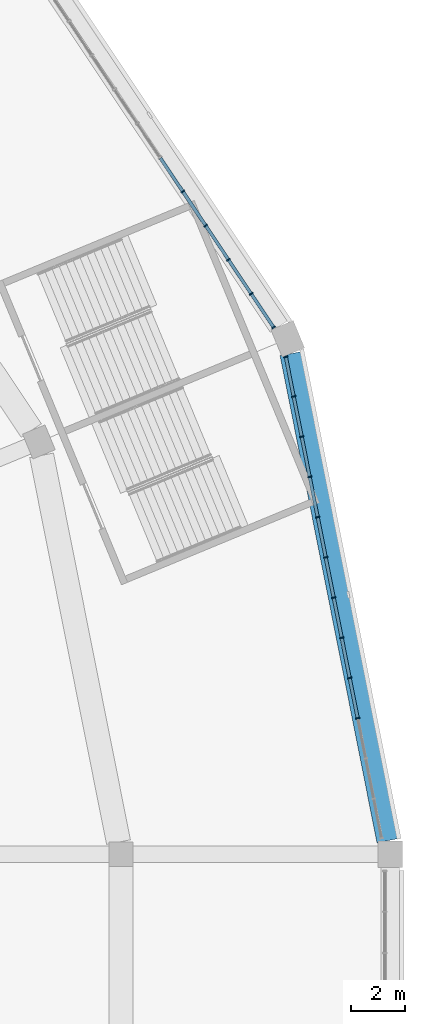
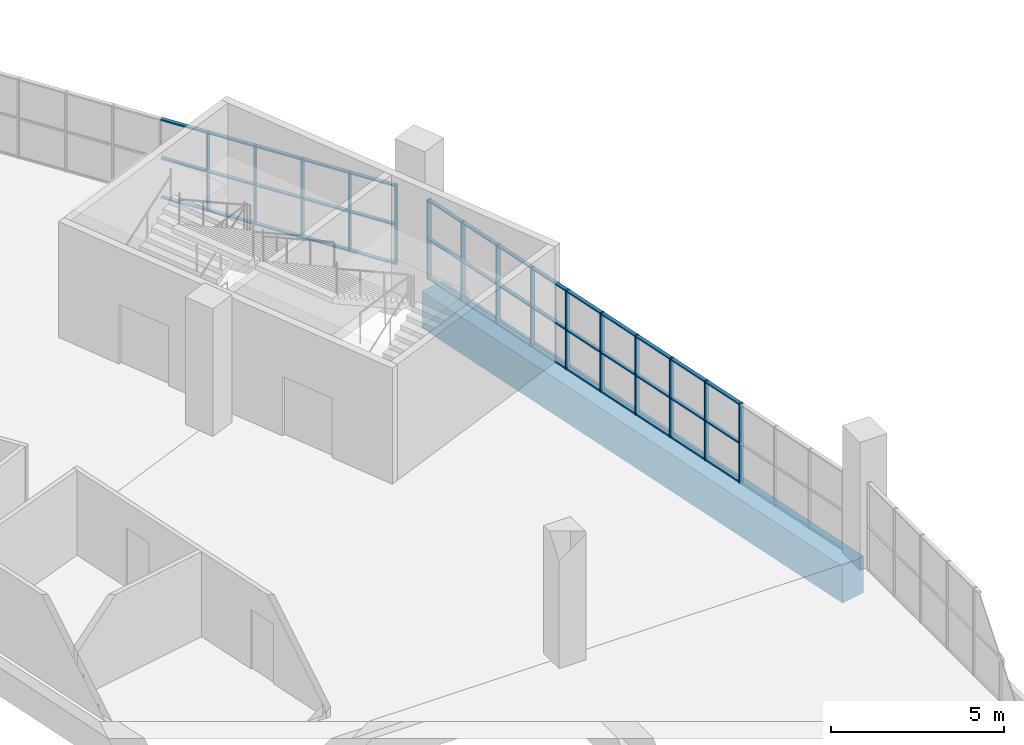
# One storey, part 52 of 199: 57 members, 1 beam, 2 elements without a shape of their own.
"""IFC4 building model written with IfcOpenShell, lengths in metres."""

import ifcopenshell
import ifcopenshell.guid

model = None  # the IFC model being written
_history = None  # IfcOwnerHistory: only IFC2X3 demands one
_inside = {}  # id of a spatial element -> (the spatial element, [elements in it])
_under = {}  # id of a project, library or spatial element -> (it, [spatial elements below it])
_declared = {}  # id of a project -> (the project, [libraries it declares])
_typed = {}  # id of a type object -> (the type object, [elements of that type])
_made_of = {}  # id of a material, layer set ... -> (it, [elements and type objects made of it])


def new_model(schema):
    """Start an empty IFC model of exactly this schema.

    Asked for "IFC4X3", IfcOpenShell would pick the latest addendum, in which some entities
    have other attributes; the version numbers below select the first issue.
    IFC2X3 requires an IfcOwnerHistory on every rooted entity: one is made here for all.
    """
    global model, _history
    if schema == "IFC4X3":
        model = ifcopenshell.file(schema_version=(4, 3, 0, 0))
    else:
        model = ifcopenshell.file(schema=schema)
    _inside.clear()
    _under.clear()
    _declared.clear()
    _typed.clear()
    _made_of.clear()
    _history = None
    if model.schema == "IFC2X3":
        org = make("IfcOrganization", Name="unknown")
        user = make(
            "IfcPersonAndOrganization",
            ThePerson=make("IfcPerson", FamilyName="unknown"),
            TheOrganization=org,
        )
        app = make(
            "IfcApplication",
            ApplicationDeveloper=org,
            Version="unknown",
            ApplicationFullName="unknown",
            ApplicationIdentifier="unknown",
        )
        _history = make(
            "IfcOwnerHistory",
            OwningUser=user,
            OwningApplication=app,
            ChangeAction="ADDED",
            CreationDate=0,
        )
    return model


def make(cls, **values):
    """One entity of the class cls with the attributes given. An attribute that is None is left unset."""
    return model.create_entity(
        cls, **{name: value for name, value in values.items() if value is not None}
    )


def rooted(cls, **values):
    """An entity with a GlobalId (a new one), such as an element, a storey or a relation."""
    return make(cls, GlobalId=ifcopenshell.guid.new(), OwnerHistory=_history, **values)


def si_unit(unit_type, name, prefix=None):
    """IfcSIUnit, for example si_unit("LENGTHUNIT", "METRE", prefix="MILLI")."""
    return make("IfcSIUnit", UnitType=unit_type, Prefix=prefix, Name=name)


def assignment(units):
    """IfcUnitAssignment: the units of a project."""
    return None if units is None else make("IfcUnitAssignment", Units=units)


def point(xyz):
    """IfcCartesianPoint."""
    return None if xyz is None else make("IfcCartesianPoint", Coordinates=xyz)


def direction(xyz):
    """IfcDirection."""
    return None if xyz is None else make("IfcDirection", DirectionRatios=xyz)


def frame(location, z_axis=None, x_axis=None):
    """IfcAxis2Placement3D, a coordinate frame: its origin and axes. An axis left out is left unset."""
    return make(
        "IfcAxis2Placement3D",
        Location=point(location),
        Axis=direction(z_axis),
        RefDirection=direction(x_axis),
    )


def frame_2d(location, x_axis=None):
    """IfcAxis2Placement2D, a coordinate frame in the plane: its origin and x axis."""
    return make(
        "IfcAxis2Placement2D", Location=point(location), RefDirection=direction(x_axis)
    )


def origin():
    """The frame at (0, 0, 0) with its axes left unset."""
    return frame((0.0, 0.0, 0.0))


def origin_2d():
    """The frame at (0, 0) in the plane with its x axis left unset."""
    return frame_2d((0.0, 0.0))


def place(relative_to, where):
    """IfcLocalPlacement: puts the frame where relative to a parent placement (None: the world)."""
    return make(
        "IfcLocalPlacement", PlacementRelTo=relative_to, RelativePlacement=where
    )


def context(
    kind, dimensions, precision=None, world=None, true_north=None, identifier=None
):
    """IfcGeometricRepresentationContext, for example the 3D "Model" context."""
    return make(
        "IfcGeometricRepresentationContext",
        ContextIdentifier=identifier,
        ContextType=kind,
        CoordinateSpaceDimension=dimensions,
        Precision=precision,
        WorldCoordinateSystem=world,
        TrueNorth=true_north,
    )


def subcontext(parent, identifier, kind, view, scale=None):
    """IfcGeometricRepresentationSubContext, for example "Body" below "Model"."""
    return make(
        "IfcGeometricRepresentationSubContext",
        ContextIdentifier=identifier,
        ContextType=kind,
        ParentContext=parent,
        TargetScale=scale,
        TargetView=view,
    )


def project(units=None, contexts=None):
    """IfcProject with its units and contexts."""
    return rooted(
        "IfcProject",
        Name="project",
        RepresentationContexts=contexts,
        UnitsInContext=assignment(units),
    )


def spatial(cls, under=None, at=None, **own):
    """A site, building, storey or space (cls), placed at a placement, below another one or the project."""
    s = rooted(cls, ObjectPlacement=at, **own)
    if under is not None:
        _under.setdefault(under.id(), (under, []))[1].append(s)
    return s


def profile(cls, at=None, kind="AREA", **sizes):
    """A parametric profile (cls). Its sizes go by their IFC names, for example OverallWidth=200.0."""
    return make(cls, ProfileType=kind, Position=at, **sizes)


def rectangle(**sizes):
    """IfcRectangleProfileDef."""
    return profile("IfcRectangleProfileDef", **sizes)


def extrude(swept, where, along, depth):
    """IfcExtrudedAreaSolid: the profile swept, set in the frame where, extruded along a direction by depth."""
    return make(
        "IfcExtrudedAreaSolid",
        SweptArea=swept,
        Position=where,
        ExtrudedDirection=direction(along),
        Depth=depth,
    )


def shape(context_of_items, identifier, shape_type, items):
    """IfcShapeRepresentation: the items that make up one representation, for example the "Body"."""
    return make(
        "IfcShapeRepresentation",
        ContextOfItems=context_of_items,
        RepresentationIdentifier=identifier,
        RepresentationType=shape_type,
        Items=items,
    )


def material(Name=None, Category=None):
    """IfcMaterial."""
    return make("IfcMaterial", Name=Name, Category=Category)


def material_profile(
    of_material, cross_section, Name=None, Category=None, Priority=None
):
    """IfcMaterialProfile: a cross section and its material."""
    return make(
        "IfcMaterialProfile",
        Name=Name,
        Material=of_material,
        Profile=cross_section,
        Priority=Priority,
        Category=Category,
    )


def profile_set(profiles, Name=None, composite=None):
    """IfcMaterialProfileSet."""
    return make(
        "IfcMaterialProfileSet",
        Name=Name,
        MaterialProfiles=profiles,
        CompositeProfile=composite,
    )


def made_of(thing, what):
    """Note that an element or type object is made of a material, layer set ...; save() writes the relation."""
    if what is not None:
        _made_of.setdefault(what.id(), (what, []))[1].append(thing)
    return thing


def type_object(cls, material=None, **own):
    """A type object (cls), such as IfcWallType, which elements share."""
    return made_of(rooted(cls, **own), material)


def element(
    cls,
    number,
    at=None,
    inside=None,
    cuts=None,
    type_object=None,
    material=None,
    context=None,
    identifier="Body",
    shape_type=None,
    held_by="IfcProductDefinitionShape",
    body=None,
    shapes=None,
    **own,
):
    """One element of the class cls, such as IfcWall. Its Tag is "e" and its number.

    at: its placement. inside: the storey or other place that contains it. cuts: it is an
    opening in that element (IfcRelVoidsElement). A single representation is given by context,
    identifier, shape_type and body (its items); several are given by shapes. held_by: the class
    of the entity that holds the representations. save() writes the other relations.
    """
    e = rooted(cls, Tag="e%d" % number, ObjectPlacement=at, **own)
    if body is not None:
        shapes = [shape(context, identifier, shape_type, body)]
    if shapes is not None:
        e.Representation = make(held_by, Representations=shapes)
    if inside is not None:
        _inside.setdefault(inside.id(), (inside, []))[1].append(e)
    if cuts is not None:
        rooted(
            "IfcRelVoidsElement", RelatingBuildingElement=cuts, RelatedOpeningElement=e
        )
    if type_object is not None:
        _typed.setdefault(type_object.id(), (type_object, []))[1].append(e)
    return made_of(e, material)


def aggregate(whole, parts):
    """IfcRelAggregates: a whole, such as a stair, and the parts it consists of."""
    return rooted("IfcRelAggregates", RelatingObject=whole, RelatedObjects=parts)


def save(model, path):
    """Write the relations noted so far, then the file.

    IfcRelAggregates (storeys below a building ...), IfcRelContainedInSpatialStructure (elements
    in a storey), IfcRelDefinesByType, IfcRelAssociatesMaterial and IfcRelDeclares: one each for
    every whole, place, type object, material and project.
    """
    for whole, parts in _under.values():
        aggregate(whole, parts)
    for where, things in _inside.values():
        rooted(
            "IfcRelContainedInSpatialStructure",
            RelatedElements=things,
            RelatingStructure=where,
        )
    for kind, things in _typed.values():
        rooted("IfcRelDefinesByType", RelatedObjects=things, RelatingType=kind)
    for what, things in _made_of.values():
        rooted("IfcRelAssociatesMaterial", RelatedObjects=things, RelatingMaterial=what)
    for by, libraries in _declared.values():
        rooted("IfcRelDeclares", RelatingContext=by, RelatedDefinitions=libraries)
    model.write(path)


model = new_model("IFC4")

# Units and contexts
model_context = context("Model", 3, precision=1e-05, world=origin(), true_north=direction((0.0, 1.0)))
body_context = subcontext(model_context, "Body", "Model", "MODEL_VIEW")
ifc_project = project(units=[si_unit("LENGTHUNIT", "METRE"), si_unit("AREAUNIT", "SQUARE_METRE"), si_unit("VOLUMEUNIT", "CUBIC_METRE"), si_unit("PLANEANGLEUNIT", "RADIAN"), si_unit("MASSUNIT", "GRAM", prefix="KILO")], contexts=[model_context])

# Site, building, storey
site_placement = place(None, origin())
site = spatial("IfcSite", under=ifc_project, at=site_placement, CompositionType="ELEMENT")
building_placement = place(site_placement, origin())
building = spatial("IfcBuilding", under=site, at=building_placement, Name="Ogive Plaza Stadium", CompositionType="ELEMENT")
storey_placement = place(building_placement, frame((0.0, 0.0, 9.0)))
storey = spatial("IfcBuildingStorey", under=building, at=storey_placement, Name="L02", CompositionType="ELEMENT", Elevation=9.0)

# Curtain wall, members
ifc_material_1 = material(Name="Bronze-anodised aluminium with laminated glass", Category="aluminium")
curtain_wall_type = type_object("IfcCurtainWallType", Name="Lancet curtain wall", PredefinedType="NOTDEFINED", material=ifc_material_1)
curtain_wall_1_placement = place(storey_placement, origin())
curtain_wall_1 = element("IfcCurtainWall", 1, at=curtain_wall_1_placement, inside=storey, type_object=curtain_wall_type, Name="CURTAIN WALL B39 L02", PredefinedType="NOTDEFINED")
ifc_material_2 = material(Name="Bronze-anodised aluminium", Category="aluminium")
ifc_material_profile_1 = material_profile(ifc_material_2, rectangle(XDim=0.14990234375, YDim=0.050048828125, at=origin_2d()), Name="AL 150x50")
ifc_profile_set_1 = profile_set([ifc_material_profile_1], Name="Bronze-anodised aluminium")
member_type_1 = type_object("IfcMemberType", Name="Curtain wall mullion 50x150", PredefinedType="MULLION", material=ifc_profile_set_1)
member_1_placement = place(storey_placement, frame((76.2998046875, 77.10205078125, 0.0), z_axis=(0.0, 0.0, 1.0), x_axis=(0.831469612303, 0.55557023302, 0.0)))
member_1 = element("IfcMember", 2, at=member_1_placement, type_object=member_type_1, Name="CW-B39-L02 mullion 9", PredefinedType="MULLION", context=body_context, shape_type="SweptSolid", body=[
    extrude(rectangle(XDim=0.14990234375, YDim=0.050048828125, at=origin_2d()), origin(), (0.0, 0.0, 1.0), 2.7900390625),
])
member_2_placement = place(storey_placement, frame((77.145751953125, 75.836181640625, 0.0), z_axis=(0.0, 0.0, 1.0), x_axis=(0.831469612303, 0.55557023302, 0.0)))
member_2 = element("IfcMember", 3, at=member_2_placement, type_object=member_type_1, Name="CW-B39-L02 mullion 10", PredefinedType="MULLION", context=body_context, shape_type="SweptSolid", body=[
    extrude(rectangle(XDim=0.14990234375, YDim=0.050048828125, at=origin_2d()), origin(), (0.0, 0.0, 1.0), 2.7900390625),
])
member_3_placement = place(storey_placement, frame((77.991455078125, 74.570556640625, 0.0), z_axis=(0.0, 0.0, 1.0), x_axis=(0.831469612303, 0.55557023302, 0.0)))
member_3 = element("IfcMember", 4, at=member_3_placement, type_object=member_type_1, Name="CW-B39-L02 mullion 11", PredefinedType="MULLION", context=body_context, shape_type="SweptSolid", body=[
    extrude(rectangle(XDim=0.14990234375, YDim=0.050048828125, at=origin_2d()), origin(), (0.0, 0.0, 1.0), 2.7900390625),
])
member_4_placement = place(storey_placement, frame((78.837158203125, 73.3046875, 0.0), z_axis=(0.0, 0.0, 1.0), x_axis=(0.831469612303, 0.55557023302, 0.0)))
member_4 = element("IfcMember", 5, at=member_4_placement, type_object=member_type_1, Name="CW-B39-L02 mullion 12", PredefinedType="MULLION", context=body_context, shape_type="SweptSolid", body=[
    extrude(rectangle(XDim=0.14990234375, YDim=0.050048828125, at=origin_2d()), origin(), (0.0, 0.0, 1.0), 2.7900390625),
])
member_5_placement = place(storey_placement, frame((79.669189453125, 72.059814453125, 0.0), z_axis=(0.0, 0.0, 1.0), x_axis=(0.831469612303, 0.55557023302, 0.0)))
member_5 = element("IfcMember", 6, at=member_5_placement, type_object=member_type_1, Name="CW-B39-L02 mullion 13", PredefinedType="MULLION", context=body_context, shape_type="SweptSolid", body=[
    extrude(rectangle(XDim=0.14990234375, YDim=0.050048828125, at=origin_2d()), origin(), (0.0, 0.0, 1.0), 2.7900390625),
])

curtain_wall_2_placement = place(storey_placement, origin())
curtain_wall_2 = element("IfcCurtainWall", 7, at=curtain_wall_2_placement, inside=storey, type_object=curtain_wall_type, Name="CURTAIN WALL B40 L02", PredefinedType="NOTDEFINED")
member_6_placement = place(storey_placement, frame((80.123779296875, 70.962158203125, 0.0), z_axis=(0.0, 0.0, 1.0), x_axis=(0.9807852804, 0.195090322033, 0.0)))
member_6 = element("IfcMember", 8, at=member_6_placement, type_object=member_type_1, Name="CW-B40-L02 mullion 1", PredefinedType="MULLION", context=body_context, shape_type="SweptSolid", body=[
    extrude(rectangle(XDim=0.14990234375, YDim=0.050048828125, at=origin_2d()), origin(), (0.0, 0.0, 1.0), 2.7900390625),
])
member_7_placement = place(storey_placement, frame((80.415771484375, 69.49365234375, 0.0), z_axis=(0.0, 0.0, 1.0), x_axis=(0.9807852804, 0.195090322033, 0.0)))
member_7 = element("IfcMember", 9, at=member_7_placement, type_object=member_type_1, Name="CW-B40-L02 mullion 2", PredefinedType="MULLION", context=body_context, shape_type="SweptSolid", body=[
    extrude(rectangle(XDim=0.14990234375, YDim=0.050048828125, at=origin_2d()), origin(), (0.0, 0.0, 1.0), 2.7900390625),
])
member_8_placement = place(storey_placement, frame((80.712890625, 68.00048828125, 0.0), z_axis=(0.0, 0.0, 1.0), x_axis=(0.9807852804, 0.195090322033, 0.0)))
member_8 = element("IfcMember", 10, at=member_8_placement, type_object=member_type_1, Name="CW-B40-L02 mullion 3", PredefinedType="MULLION", context=body_context, shape_type="SweptSolid", body=[
    extrude(rectangle(XDim=0.14990234375, YDim=0.050048828125, at=origin_2d()), origin(), (0.0, 0.0, 1.0), 2.7900390625),
])
member_9_placement = place(storey_placement, frame((81.009765625, 66.50732421875, 0.0), z_axis=(0.0, 0.0, 1.0), x_axis=(0.9807852804, 0.195090322033, 0.0)))
member_9 = element("IfcMember", 11, at=member_9_placement, type_object=member_type_1, Name="CW-B40-L02 mullion 4", PredefinedType="MULLION", context=body_context, shape_type="SweptSolid", body=[
    extrude(rectangle(XDim=0.14990234375, YDim=0.050048828125, at=origin_2d()), origin(), (0.0, 0.0, 1.0), 2.7900390625),
])
member_10_placement = place(storey_placement, frame((81.306884765625, 65.01416015625, 0.0), z_axis=(0.0, 0.0, 1.0), x_axis=(0.9807852804, 0.195090322033, 0.0)))
member_10 = element("IfcMember", 12, at=member_10_placement, type_object=member_type_1, Name="CW-B40-L02 mullion 5", PredefinedType="MULLION", context=body_context, shape_type="SweptSolid", body=[
    extrude(rectangle(XDim=0.14990234375, YDim=0.050048828125, at=origin_2d()), origin(), (0.0, 0.0, 1.0), 2.7900390625),
])
member_11_placement = place(storey_placement, frame((81.603759765625, 63.521240234375, 0.0), z_axis=(0.0, 0.0, 1.0), x_axis=(0.9807852804, 0.195090322033, 0.0)))
member_11 = element("IfcMember", 13, at=member_11_placement, type_object=member_type_1, Name="CW-B40-L02 mullion 6", PredefinedType="MULLION", context=body_context, shape_type="SweptSolid", body=[
    extrude(rectangle(XDim=0.14990234375, YDim=0.050048828125, at=origin_2d()), origin(), (0.0, 0.0, 1.0), 2.7900390625),
])
member_12_placement = place(storey_placement, frame((81.90087890625, 62.028076171875, 0.0), z_axis=(0.0, 0.0, 1.0), x_axis=(0.9807852804, 0.195090322033, 0.0)))
member_12 = element("IfcMember", 14, at=member_12_placement, type_object=member_type_1, Name="CW-B40-L02 mullion 7", PredefinedType="MULLION", context=body_context, shape_type="SweptSolid", body=[
    extrude(rectangle(XDim=0.14990234375, YDim=0.050048828125, at=origin_2d()), origin(), (0.0, 0.0, 1.0), 2.7900390625),
])
member_13_placement = place(storey_placement, frame((82.19775390625, 60.534912109375, 0.0), z_axis=(0.0, 0.0, 1.0), x_axis=(0.9807852804, 0.195090322033, 0.0)))
member_13 = element("IfcMember", 15, at=member_13_placement, type_object=member_type_1, Name="CW-B40-L02 mullion 8", PredefinedType="MULLION", context=body_context, shape_type="SweptSolid", body=[
    extrude(rectangle(XDim=0.14990234375, YDim=0.050048828125, at=origin_2d()), origin(), (0.0, 0.0, 1.0), 2.7900390625),
])
member_14_placement = place(storey_placement, frame((82.494873046875, 59.0419921875, 0.0), z_axis=(0.0, 0.0, 1.0), x_axis=(0.9807852804, 0.195090322033, 0.0)))
member_14 = element("IfcMember", 16, at=member_14_placement, type_object=member_type_1, Name="CW-B40-L02 mullion 9", PredefinedType="MULLION", context=body_context, shape_type="SweptSolid", body=[
    extrude(rectangle(XDim=0.14990234375, YDim=0.050048828125, at=origin_2d()), origin(), (0.0, 0.0, 1.0), 2.7900390625),
])
member_15_placement = place(storey_placement, frame((82.791748046875, 57.548828125, 0.0), z_axis=(0.0, 0.0, 1.0), x_axis=(0.9807852804, 0.195090322033, 0.0)))
member_15 = element("IfcMember", 17, at=member_15_placement, type_object=member_type_1, Name="CW-B40-L02 mullion 10", PredefinedType="MULLION", context=body_context, shape_type="SweptSolid", body=[
    extrude(rectangle(XDim=0.14990234375, YDim=0.050048828125, at=origin_2d()), origin(), (0.0, 0.0, 1.0), 2.7900390625),
])

# Member
ifc_material_3 = material(Name="Bronze-anodised aluminium", Category="aluminium")
ifc_material_profile_2 = material_profile(ifc_material_3, rectangle(XDim=0.1201171875, YDim=0.050048828125, at=origin_2d()), Name="AL 120x50")
ifc_profile_set_2 = profile_set([ifc_material_profile_2], Name="Bronze-anodised aluminium")
member_type_2 = type_object("IfcMemberType", Name="Curtain wall transom 50x120", PredefinedType="USERDEFINED", material=ifc_profile_set_2)
member_16_placement = place(storey_placement, frame((75.468017578125, 78.34716796875, 0.02490234375), z_axis=(0.555579876157, -0.831463168883, 0.0), x_axis=(0.831463168883, 0.555579876157, 0.0)))
member_16 = element("IfcMember", 18, at=member_16_placement, type_object=member_type_2, Name="CW-B39-L02 transom 8.1", ObjectType="TRANSOM", PredefinedType="USERDEFINED", context=body_context, shape_type="SweptSolid", body=[
    extrude(rectangle(XDim=0.1201171875, YDim=0.050048828125, at=origin_2d()), origin(), (0.0, 0.0, 1.0), 1.47265625),
])

member_17_placement = place(storey_placement, frame((75.468017578125, 78.34716796875, 1.39501953125), z_axis=(0.555579876157, -0.831463168883, 0.0), x_axis=(0.831463168883, 0.555579876157, 0.0)))
member_17 = element("IfcMember", 19, at=member_17_placement, type_object=member_type_2, Name="CW-B39-L02 transom 8.2", ObjectType="TRANSOM", PredefinedType="USERDEFINED", context=body_context, shape_type="SweptSolid", body=[
    extrude(rectangle(XDim=0.1201171875, YDim=0.050048828125, at=origin_2d()), origin(), (0.0, 0.0, 1.0), 1.47265625),
])

member_18_placement = place(storey_placement, frame((75.468017578125, 78.34716796875, 2.764892578125), z_axis=(0.555579876157, -0.831463168883, 0.0), x_axis=(0.831463168883, 0.555579876157, 0.0)))
member_18 = element("IfcMember", 20, at=member_18_placement, type_object=member_type_2, Name="CW-B39-L02 transom 8.3", ObjectType="TRANSOM", PredefinedType="USERDEFINED", context=body_context, shape_type="SweptSolid", body=[
    extrude(rectangle(XDim=0.1201171875, YDim=0.050048828125, at=origin_2d()), origin(), (0.0, 0.0, 1.0), 1.47265625),
])

member_19_placement = place(storey_placement, frame((76.313720703125, 77.081298828125, 0.02490234375), z_axis=(0.555656472512, -0.831411982446, 0.0), x_axis=(0.831411982446, 0.555656472512, 0.0)))
member_19 = element("IfcMember", 21, at=member_19_placement, type_object=member_type_2, Name="CW-B39-L02 transom 9.1", ObjectType="TRANSOM", PredefinedType="USERDEFINED", context=body_context, shape_type="SweptSolid", body=[
    extrude(rectangle(XDim=0.1201171875, YDim=0.050048828125, at=origin_2d()), origin(), (0.0, 0.0, 1.0), 1.472412109375),
])

member_20_placement = place(storey_placement, frame((76.313720703125, 77.081298828125, 1.39501953125), z_axis=(0.555656472512, -0.831411982446, 0.0), x_axis=(0.831411982446, 0.555656472512, 0.0)))
member_20 = element("IfcMember", 22, at=member_20_placement, type_object=member_type_2, Name="CW-B39-L02 transom 9.2", ObjectType="TRANSOM", PredefinedType="USERDEFINED", context=body_context, shape_type="SweptSolid", body=[
    extrude(rectangle(XDim=0.1201171875, YDim=0.050048828125, at=origin_2d()), origin(), (0.0, 0.0, 1.0), 1.472412109375),
])

member_21_placement = place(storey_placement, frame((76.313720703125, 77.081298828125, 2.764892578125), z_axis=(0.555656472512, -0.831411982446, 0.0), x_axis=(0.831411982446, 0.555656472512, 0.0)))
member_21 = element("IfcMember", 23, at=member_21_placement, type_object=member_type_2, Name="CW-B39-L02 transom 9.3", ObjectType="TRANSOM", PredefinedType="USERDEFINED", context=body_context, shape_type="SweptSolid", body=[
    extrude(rectangle(XDim=0.1201171875, YDim=0.050048828125, at=origin_2d()), origin(), (0.0, 0.0, 1.0), 1.472412109375),
])

member_22_placement = place(storey_placement, frame((77.15966796875, 75.8154296875, 0.02490234375), z_axis=(0.555541835587, -0.831488586159, 0.0), x_axis=(0.831488586159, 0.555541835587, 0.0)))
member_22 = element("IfcMember", 24, at=member_22_placement, type_object=member_type_2, Name="CW-B39-L02 transom 10.1", ObjectType="TRANSOM", PredefinedType="USERDEFINED", context=body_context, shape_type="SweptSolid", body=[
    extrude(rectangle(XDim=0.1201171875, YDim=0.050048828125, at=origin_2d()), origin(), (0.0, 0.0, 1.0), 1.47216796875),
])

member_23_placement = place(storey_placement, frame((77.15966796875, 75.8154296875, 1.39501953125), z_axis=(0.555541835587, -0.831488586159, 0.0), x_axis=(0.831488586159, 0.555541835587, 0.0)))
member_23 = element("IfcMember", 25, at=member_23_placement, type_object=member_type_2, Name="CW-B39-L02 transom 10.2", ObjectType="TRANSOM", PredefinedType="USERDEFINED", context=body_context, shape_type="SweptSolid", body=[
    extrude(rectangle(XDim=0.1201171875, YDim=0.050048828125, at=origin_2d()), origin(), (0.0, 0.0, 1.0), 1.47216796875),
])

member_24_placement = place(storey_placement, frame((77.15966796875, 75.8154296875, 2.764892578125), z_axis=(0.555541835587, -0.831488586159, 0.0), x_axis=(0.831488586159, 0.555541835587, 0.0)))
member_24 = element("IfcMember", 26, at=member_24_placement, type_object=member_type_2, Name="CW-B39-L02 transom 10.3", ObjectType="TRANSOM", PredefinedType="USERDEFINED", context=body_context, shape_type="SweptSolid", body=[
    extrude(rectangle(XDim=0.1201171875, YDim=0.050048828125, at=origin_2d()), origin(), (0.0, 0.0, 1.0), 1.47216796875),
])

member_25_placement = place(storey_placement, frame((78.00537109375, 74.5498046875, 0.02490234375), z_axis=(0.555465240925, -0.83153975619, 0.0), x_axis=(0.83153975619, 0.555465240925, 0.0)))
member_25 = element("IfcMember", 27, at=member_25_placement, type_object=member_type_2, Name="CW-B39-L02 transom 11.1", ObjectType="TRANSOM", PredefinedType="USERDEFINED", context=body_context, shape_type="SweptSolid", body=[
    extrude(rectangle(XDim=0.1201171875, YDim=0.050048828125, at=origin_2d()), origin(), (0.0, 0.0, 1.0), 1.472412109375),
])

member_26_placement = place(storey_placement, frame((78.00537109375, 74.5498046875, 1.39501953125), z_axis=(0.555465240925, -0.83153975619, 0.0), x_axis=(0.83153975619, 0.555465240925, 0.0)))
member_26 = element("IfcMember", 28, at=member_26_placement, type_object=member_type_2, Name="CW-B39-L02 transom 11.2", ObjectType="TRANSOM", PredefinedType="USERDEFINED", context=body_context, shape_type="SweptSolid", body=[
    extrude(rectangle(XDim=0.1201171875, YDim=0.050048828125, at=origin_2d()), origin(), (0.0, 0.0, 1.0), 1.472412109375),
])

member_27_placement = place(storey_placement, frame((78.00537109375, 74.5498046875, 2.764892578125), z_axis=(0.555465240925, -0.83153975619, 0.0), x_axis=(0.83153975619, 0.555465240925, 0.0)))
member_27 = element("IfcMember", 29, at=member_27_placement, type_object=member_type_2, Name="CW-B39-L02 transom 11.3", ObjectType="TRANSOM", PredefinedType="USERDEFINED", context=body_context, shape_type="SweptSolid", body=[
    extrude(rectangle(XDim=0.1201171875, YDim=0.050048828125, at=origin_2d()), origin(), (0.0, 0.0, 1.0), 1.472412109375),
])

member_28_placement = place(storey_placement, frame((78.85107421875, 73.283935546875, 0.02490234375), z_axis=(0.555634077892, -0.831426948977, 0.0), x_axis=(0.831426948977, 0.555634077892, 0.0)))
member_28 = element("IfcMember", 30, at=member_28_placement, type_object=member_type_2, Name="CW-B39-L02 transom 12.1", ObjectType="TRANSOM", PredefinedType="USERDEFINED", context=body_context, shape_type="SweptSolid", body=[
    extrude(rectangle(XDim=0.1201171875, YDim=0.050048828125, at=origin_2d()), origin(), (0.0, 0.0, 1.0), 1.447265625),
])

member_29_placement = place(storey_placement, frame((78.85107421875, 73.283935546875, 1.39501953125), z_axis=(0.555634077892, -0.831426948977, 0.0), x_axis=(0.831426948977, 0.555634077892, 0.0)))
member_29 = element("IfcMember", 31, at=member_29_placement, type_object=member_type_2, Name="CW-B39-L02 transom 12.2", ObjectType="TRANSOM", PredefinedType="USERDEFINED", context=body_context, shape_type="SweptSolid", body=[
    extrude(rectangle(XDim=0.1201171875, YDim=0.050048828125, at=origin_2d()), origin(), (0.0, 0.0, 1.0), 1.447265625),
])

member_30_placement = place(storey_placement, frame((78.85107421875, 73.283935546875, 2.764892578125), z_axis=(0.555634077892, -0.831426948977, 0.0), x_axis=(0.831426948977, 0.555634077892, 0.0)))
member_30 = element("IfcMember", 32, at=member_30_placement, type_object=member_type_2, Name="CW-B39-L02 transom 12.3", ObjectType="TRANSOM", PredefinedType="USERDEFINED", context=body_context, shape_type="SweptSolid", body=[
    extrude(rectangle(XDim=0.1201171875, YDim=0.050048828125, at=origin_2d()), origin(), (0.0, 0.0, 1.0), 1.447265625),
])

aggregate(curtain_wall_1, [member_1, member_2, member_3, member_4, member_5, member_16, member_17, member_18, member_19, member_20, member_21, member_22, member_23, member_24, member_25, member_26, member_27, member_28, member_29, member_30])

member_31_placement = place(storey_placement, frame((80.128662109375, 70.9375, 0.02490234375), z_axis=(0.195012996379, -0.98080065826, 0.0), x_axis=(0.98080065826, 0.195012996379, 0.0)))
member_31 = element("IfcMember", 33, at=member_31_placement, type_object=member_type_2, Name="CW-B40-L02 transom 1.1", ObjectType="TRANSOM", PredefinedType="USERDEFINED", context=body_context, shape_type="SweptSolid", body=[
    extrude(rectangle(XDim=0.1201171875, YDim=0.050048828125, at=origin_2d()), origin(), (0.0, 0.0, 1.0), 1.447265625),
])

member_32_placement = place(storey_placement, frame((80.128662109375, 70.9375, 1.39501953125), z_axis=(0.195012996379, -0.98080065826, 0.0), x_axis=(0.98080065826, 0.195012996379, 0.0)))
member_32 = element("IfcMember", 34, at=member_32_placement, type_object=member_type_2, Name="CW-B40-L02 transom 1.2", ObjectType="TRANSOM", PredefinedType="USERDEFINED", context=body_context, shape_type="SweptSolid", body=[
    extrude(rectangle(XDim=0.1201171875, YDim=0.050048828125, at=origin_2d()), origin(), (0.0, 0.0, 1.0), 1.447265625),
])

member_33_placement = place(storey_placement, frame((80.128662109375, 70.9375, 2.764892578125), z_axis=(0.195012996379, -0.98080065826, 0.0), x_axis=(0.98080065826, 0.195012996379, 0.0)))
member_33 = element("IfcMember", 35, at=member_33_placement, type_object=member_type_2, Name="CW-B40-L02 transom 1.3", ObjectType="TRANSOM", PredefinedType="USERDEFINED", context=body_context, shape_type="SweptSolid", body=[
    extrude(rectangle(XDim=0.1201171875, YDim=0.050048828125, at=origin_2d()), origin(), (0.0, 0.0, 1.0), 1.447265625),
])

member_34_placement = place(storey_placement, frame((80.420654296875, 69.468994140625, 0.02490234375), z_axis=(0.195159440417, -0.980771529367, 0.0), x_axis=(0.980771529367, 0.195159440417, 0.0)))
member_34 = element("IfcMember", 36, at=member_34_placement, type_object=member_type_2, Name="CW-B40-L02 transom 2.1", ObjectType="TRANSOM", PredefinedType="USERDEFINED", context=body_context, shape_type="SweptSolid", body=[
    extrude(rectangle(XDim=0.1201171875, YDim=0.050048828125, at=origin_2d()), origin(), (0.0, 0.0, 1.0), 1.472412109375),
])

member_35_placement = place(storey_placement, frame((80.420654296875, 69.468994140625, 1.39501953125), z_axis=(0.195159440417, -0.980771529367, 0.0), x_axis=(0.980771529367, 0.195159440417, 0.0)))
member_35 = element("IfcMember", 37, at=member_35_placement, type_object=member_type_2, Name="CW-B40-L02 transom 2.2", ObjectType="TRANSOM", PredefinedType="USERDEFINED", context=body_context, shape_type="SweptSolid", body=[
    extrude(rectangle(XDim=0.1201171875, YDim=0.050048828125, at=origin_2d()), origin(), (0.0, 0.0, 1.0), 1.472412109375),
])

member_36_placement = place(storey_placement, frame((80.420654296875, 69.468994140625, 2.764892578125), z_axis=(0.195159440417, -0.980771529367, 0.0), x_axis=(0.980771529367, 0.195159440417, 0.0)))
member_36 = element("IfcMember", 38, at=member_36_placement, type_object=member_type_2, Name="CW-B40-L02 transom 2.3", ObjectType="TRANSOM", PredefinedType="USERDEFINED", context=body_context, shape_type="SweptSolid", body=[
    extrude(rectangle(XDim=0.1201171875, YDim=0.050048828125, at=origin_2d()), origin(), (0.0, 0.0, 1.0), 1.472412109375),
])

member_37_placement = place(storey_placement, frame((80.7177734375, 67.975830078125, 0.02490234375), z_axis=(0.19503165555, -0.980796948065, 0.0), x_axis=(0.980796948065, 0.19503165555, 0.0)))
member_37 = element("IfcMember", 39, at=member_37_placement, type_object=member_type_2, Name="CW-B40-L02 transom 3.1", ObjectType="TRANSOM", PredefinedType="USERDEFINED", context=body_context, shape_type="SweptSolid", body=[
    extrude(rectangle(XDim=0.1201171875, YDim=0.050048828125, at=origin_2d()), origin(), (0.0, 0.0, 1.0), 1.47216796875),
])

member_38_placement = place(storey_placement, frame((80.7177734375, 67.975830078125, 1.39501953125), z_axis=(0.19503165555, -0.980796948065, 0.0), x_axis=(0.980796948065, 0.19503165555, 0.0)))
member_38 = element("IfcMember", 40, at=member_38_placement, type_object=member_type_2, Name="CW-B40-L02 transom 3.2", ObjectType="TRANSOM", PredefinedType="USERDEFINED", context=body_context, shape_type="SweptSolid", body=[
    extrude(rectangle(XDim=0.1201171875, YDim=0.050048828125, at=origin_2d()), origin(), (0.0, 0.0, 1.0), 1.47216796875),
])

member_39_placement = place(storey_placement, frame((80.7177734375, 67.975830078125, 2.764892578125), z_axis=(0.19503165555, -0.980796948065, 0.0), x_axis=(0.980796948065, 0.19503165555, 0.0)))
member_39 = element("IfcMember", 41, at=member_39_placement, type_object=member_type_2, Name="CW-B40-L02 transom 3.3", ObjectType="TRANSOM", PredefinedType="USERDEFINED", context=body_context, shape_type="SweptSolid", body=[
    extrude(rectangle(XDim=0.1201171875, YDim=0.050048828125, at=origin_2d()), origin(), (0.0, 0.0, 1.0), 1.47216796875),
])

member_40_placement = place(storey_placement, frame((81.0146484375, 66.48291015625, 0.02490234375), z_axis=(0.195159440417, -0.980771529367, 0.0), x_axis=(0.980771529367, 0.195159440417, 0.0)))
member_40 = element("IfcMember", 42, at=member_40_placement, type_object=member_type_2, Name="CW-B40-L02 transom 4.1", ObjectType="TRANSOM", PredefinedType="USERDEFINED", context=body_context, shape_type="SweptSolid", body=[
    extrude(rectangle(XDim=0.1201171875, YDim=0.050048828125, at=origin_2d()), origin(), (0.0, 0.0, 1.0), 1.472412109375),
])

member_41_placement = place(storey_placement, frame((81.0146484375, 66.48291015625, 1.39501953125), z_axis=(0.195159440417, -0.980771529367, 0.0), x_axis=(0.980771529367, 0.195159440417, 0.0)))
member_41 = element("IfcMember", 43, at=member_41_placement, type_object=member_type_2, Name="CW-B40-L02 transom 4.2", ObjectType="TRANSOM", PredefinedType="USERDEFINED", context=body_context, shape_type="SweptSolid", body=[
    extrude(rectangle(XDim=0.1201171875, YDim=0.050048828125, at=origin_2d()), origin(), (0.0, 0.0, 1.0), 1.472412109375),
])

member_42_placement = place(storey_placement, frame((81.0146484375, 66.48291015625, 2.764892578125), z_axis=(0.195159440417, -0.980771529367, 0.0), x_axis=(0.980771529367, 0.195159440417, 0.0)))
member_42 = element("IfcMember", 44, at=member_42_placement, type_object=member_type_2, Name="CW-B40-L02 transom 4.3", ObjectType="TRANSOM", PredefinedType="USERDEFINED", context=body_context, shape_type="SweptSolid", body=[
    extrude(rectangle(XDim=0.1201171875, YDim=0.050048828125, at=origin_2d()), origin(), (0.0, 0.0, 1.0), 1.472412109375),
])

member_43_placement = place(storey_placement, frame((81.311767578125, 64.98974609375, 0.02490234375), z_axis=(0.194999937042, -0.980803254763, 0.0), x_axis=(0.980803254763, 0.194999937042, 0.0)))
member_43 = element("IfcMember", 45, at=member_43_placement, type_object=member_type_2, Name="CW-B40-L02 transom 5.1", ObjectType="TRANSOM", PredefinedType="USERDEFINED", context=body_context, shape_type="SweptSolid", body=[
    extrude(rectangle(XDim=0.1201171875, YDim=0.050048828125, at=origin_2d()), origin(), (0.0, 0.0, 1.0), 1.472412109375),
])

member_44_placement = place(storey_placement, frame((81.311767578125, 64.98974609375, 1.39501953125), z_axis=(0.194999937042, -0.980803254763, 0.0), x_axis=(0.980803254763, 0.194999937042, 0.0)))
member_44 = element("IfcMember", 46, at=member_44_placement, type_object=member_type_2, Name="CW-B40-L02 transom 5.2", ObjectType="TRANSOM", PredefinedType="USERDEFINED", context=body_context, shape_type="SweptSolid", body=[
    extrude(rectangle(XDim=0.1201171875, YDim=0.050048828125, at=origin_2d()), origin(), (0.0, 0.0, 1.0), 1.472412109375),
])

member_45_placement = place(storey_placement, frame((81.311767578125, 64.98974609375, 2.764892578125), z_axis=(0.194999937042, -0.980803254763, 0.0), x_axis=(0.980803254763, 0.194999937042, 0.0)))
member_45 = element("IfcMember", 47, at=member_45_placement, type_object=member_type_2, Name="CW-B40-L02 transom 5.3", ObjectType="TRANSOM", PredefinedType="USERDEFINED", context=body_context, shape_type="SweptSolid", body=[
    extrude(rectangle(XDim=0.1201171875, YDim=0.050048828125, at=origin_2d()), origin(), (0.0, 0.0, 1.0), 1.472412109375),
])

member_46_placement = place(storey_placement, frame((81.608642578125, 63.49658203125, 0.02490234375), z_axis=(0.195159440417, -0.980771529367, 0.0), x_axis=(0.980771529367, 0.195159440417, 0.0)))
member_46 = element("IfcMember", 48, at=member_46_placement, type_object=member_type_2, Name="CW-B40-L02 transom 6.1", ObjectType="TRANSOM", PredefinedType="USERDEFINED", context=body_context, shape_type="SweptSolid", body=[
    extrude(rectangle(XDim=0.1201171875, YDim=0.050048828125, at=origin_2d()), origin(), (0.0, 0.0, 1.0), 1.472412109375),
])

member_47_placement = place(storey_placement, frame((81.608642578125, 63.49658203125, 1.39501953125), z_axis=(0.195159440417, -0.980771529367, 0.0), x_axis=(0.980771529367, 0.195159440417, 0.0)))
member_47 = element("IfcMember", 49, at=member_47_placement, type_object=member_type_2, Name="CW-B40-L02 transom 6.2", ObjectType="TRANSOM", PredefinedType="USERDEFINED", context=body_context, shape_type="SweptSolid", body=[
    extrude(rectangle(XDim=0.1201171875, YDim=0.050048828125, at=origin_2d()), origin(), (0.0, 0.0, 1.0), 1.472412109375),
])

member_48_placement = place(storey_placement, frame((81.608642578125, 63.49658203125, 2.764892578125), z_axis=(0.195159440417, -0.980771529367, 0.0), x_axis=(0.980771529367, 0.195159440417, 0.0)))
member_48 = element("IfcMember", 50, at=member_48_placement, type_object=member_type_2, Name="CW-B40-L02 transom 6.3", ObjectType="TRANSOM", PredefinedType="USERDEFINED", context=body_context, shape_type="SweptSolid", body=[
    extrude(rectangle(XDim=0.1201171875, YDim=0.050048828125, at=origin_2d()), origin(), (0.0, 0.0, 1.0), 1.472412109375),
])

member_49_placement = place(storey_placement, frame((81.90576171875, 62.003662109375, 0.02490234375), z_axis=(0.194999937042, -0.980803254763, 0.0), x_axis=(0.980803254763, 0.194999937042, 0.0)))
member_49 = element("IfcMember", 51, at=member_49_placement, type_object=member_type_2, Name="CW-B40-L02 transom 7.1", ObjectType="TRANSOM", PredefinedType="USERDEFINED", context=body_context, shape_type="SweptSolid", body=[
    extrude(rectangle(XDim=0.1201171875, YDim=0.050048828125, at=origin_2d()), origin(), (0.0, 0.0, 1.0), 1.472412109375),
])

member_50_placement = place(storey_placement, frame((81.90576171875, 62.003662109375, 1.39501953125), z_axis=(0.194999937042, -0.980803254763, 0.0), x_axis=(0.980803254763, 0.194999937042, 0.0)))
member_50 = element("IfcMember", 52, at=member_50_placement, type_object=member_type_2, Name="CW-B40-L02 transom 7.2", ObjectType="TRANSOM", PredefinedType="USERDEFINED", context=body_context, shape_type="SweptSolid", body=[
    extrude(rectangle(XDim=0.1201171875, YDim=0.050048828125, at=origin_2d()), origin(), (0.0, 0.0, 1.0), 1.472412109375),
])

member_51_placement = place(storey_placement, frame((81.90576171875, 62.003662109375, 2.764892578125), z_axis=(0.194999937042, -0.980803254763, 0.0), x_axis=(0.980803254763, 0.194999937042, 0.0)))
member_51 = element("IfcMember", 53, at=member_51_placement, type_object=member_type_2, Name="CW-B40-L02 transom 7.3", ObjectType="TRANSOM", PredefinedType="USERDEFINED", context=body_context, shape_type="SweptSolid", body=[
    extrude(rectangle(XDim=0.1201171875, YDim=0.050048828125, at=origin_2d()), origin(), (0.0, 0.0, 1.0), 1.472412109375),
])

member_52_placement = place(storey_placement, frame((82.20263671875, 60.510498046875, 0.02490234375), z_axis=(0.195159440417, -0.980771529367, 0.0), x_axis=(0.980771529367, 0.195159440417, 0.0)))
member_52 = element("IfcMember", 54, at=member_52_placement, type_object=member_type_2, Name="CW-B40-L02 transom 8.1", ObjectType="TRANSOM", PredefinedType="USERDEFINED", context=body_context, shape_type="SweptSolid", body=[
    extrude(rectangle(XDim=0.1201171875, YDim=0.050048828125, at=origin_2d()), origin(), (0.0, 0.0, 1.0), 1.472412109375),
])

member_53_placement = place(storey_placement, frame((82.20263671875, 60.510498046875, 1.39501953125), z_axis=(0.195159440417, -0.980771529367, 0.0), x_axis=(0.980771529367, 0.195159440417, 0.0)))
member_53 = element("IfcMember", 55, at=member_53_placement, type_object=member_type_2, Name="CW-B40-L02 transom 8.2", ObjectType="TRANSOM", PredefinedType="USERDEFINED", context=body_context, shape_type="SweptSolid", body=[
    extrude(rectangle(XDim=0.1201171875, YDim=0.050048828125, at=origin_2d()), origin(), (0.0, 0.0, 1.0), 1.472412109375),
])

member_54_placement = place(storey_placement, frame((82.20263671875, 60.510498046875, 2.764892578125), z_axis=(0.195159440417, -0.980771529367, 0.0), x_axis=(0.980771529367, 0.195159440417, 0.0)))
member_54 = element("IfcMember", 56, at=member_54_placement, type_object=member_type_2, Name="CW-B40-L02 transom 8.3", ObjectType="TRANSOM", PredefinedType="USERDEFINED", context=body_context, shape_type="SweptSolid", body=[
    extrude(rectangle(XDim=0.1201171875, YDim=0.050048828125, at=origin_2d()), origin(), (0.0, 0.0, 1.0), 1.472412109375),
])

member_55_placement = place(storey_placement, frame((82.499755859375, 59.017333984375, 0.02490234375), z_axis=(0.194999937042, -0.980803254763, 0.0), x_axis=(0.980803254763, 0.194999937042, 0.0)))
member_55 = element("IfcMember", 57, at=member_55_placement, type_object=member_type_2, Name="CW-B40-L02 transom 9.1", ObjectType="TRANSOM", PredefinedType="USERDEFINED", context=body_context, shape_type="SweptSolid", body=[
    extrude(rectangle(XDim=0.1201171875, YDim=0.050048828125, at=origin_2d()), origin(), (0.0, 0.0, 1.0), 1.472412109375),
])

member_56_placement = place(storey_placement, frame((82.499755859375, 59.017333984375, 1.39501953125), z_axis=(0.194999937042, -0.980803254763, 0.0), x_axis=(0.980803254763, 0.194999937042, 0.0)))
member_56 = element("IfcMember", 58, at=member_56_placement, type_object=member_type_2, Name="CW-B40-L02 transom 9.2", ObjectType="TRANSOM", PredefinedType="USERDEFINED", context=body_context, shape_type="SweptSolid", body=[
    extrude(rectangle(XDim=0.1201171875, YDim=0.050048828125, at=origin_2d()), origin(), (0.0, 0.0, 1.0), 1.472412109375),
])

member_57_placement = place(storey_placement, frame((82.499755859375, 59.017333984375, 2.764892578125), z_axis=(0.194999937042, -0.980803254763, 0.0), x_axis=(0.980803254763, 0.194999937042, 0.0)))
member_57 = element("IfcMember", 59, at=member_57_placement, type_object=member_type_2, Name="CW-B40-L02 transom 9.3", ObjectType="TRANSOM", PredefinedType="USERDEFINED", context=body_context, shape_type="SweptSolid", body=[
    extrude(rectangle(XDim=0.1201171875, YDim=0.050048828125, at=origin_2d()), origin(), (0.0, 0.0, 1.0), 1.472412109375),
])

aggregate(curtain_wall_2, [member_6, member_7, member_8, member_9, member_10, member_11, member_12, member_13, member_14, member_15, member_31, member_32, member_33, member_34, member_35, member_36, member_37, member_38, member_39, member_40, member_41, member_42, member_43, member_44, member_45, member_46, member_47, member_48, member_49, member_50, member_51, member_52, member_53, member_54, member_55, member_56, member_57])

# Beam
ifc_material_4 = material(Name="Concrete C40/50", Category="concrete")
ifc_material_profile_3 = material_profile(ifc_material_4, rectangle(XDim=0.800048828125, YDim=1.300048828125, at=origin_2d()), Name="RC 800x1300")
ifc_profile_set_3 = profile_set([ifc_material_profile_3], Name="Concrete C40/50")
beam_type = type_object("IfcBeamType", Name="RC spandrel beam 800x1300", PredefinedType="SPANDREL", material=ifc_profile_set_3)
beam_placement = place(storey_placement, frame((80.303466796875, 71.084228515625, -1.06005859375), z_axis=(0.195089866178, -0.980785371075, 0.0), x_axis=(0.980785371075, 0.195089866178, 0.0)))
element("IfcBeam", 60, at=beam_placement, inside=storey, type_object=beam_type, Name="Ring beam F5 L02 B40", PredefinedType="SPANDREL", context=body_context, shape_type="SweptSolid", body=[
    extrude(rectangle(XDim=0.800048828125, YDim=1.300048828125, at=origin_2d()), origin(), (0.0, 0.0, 1.0), 18.4384765625),
])

save(model, "model.ifc")
